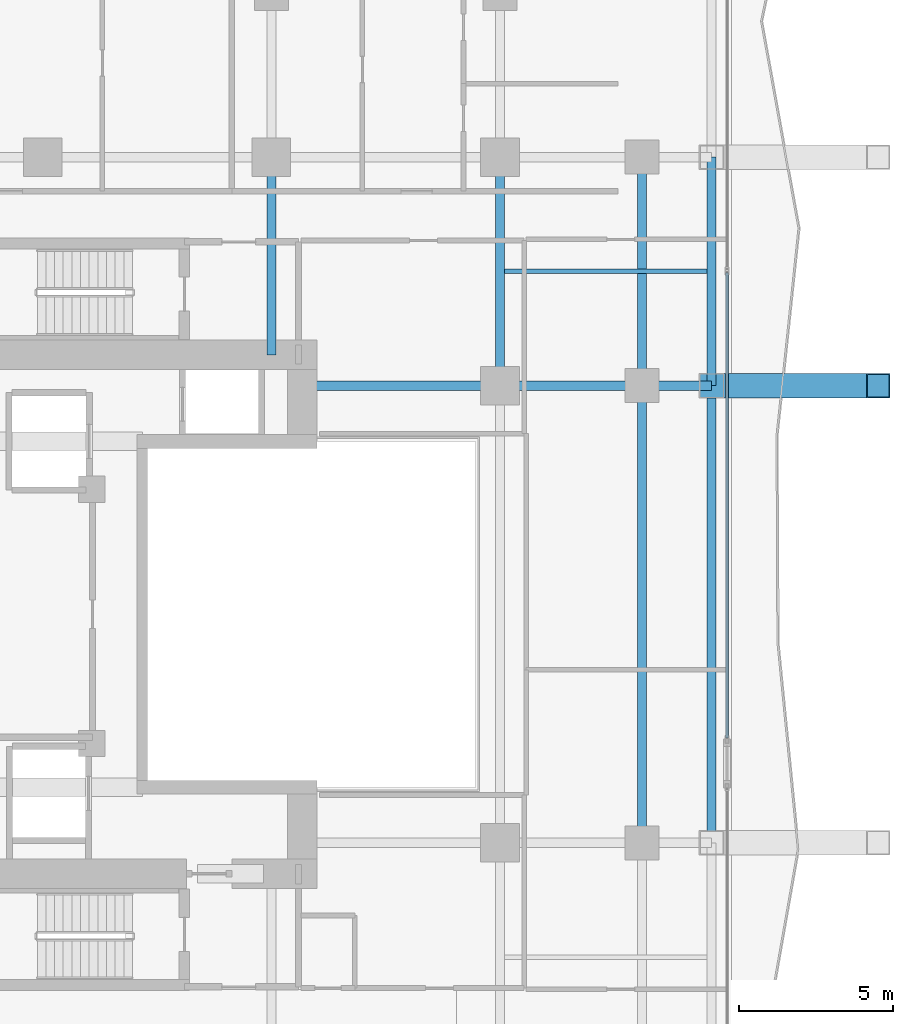
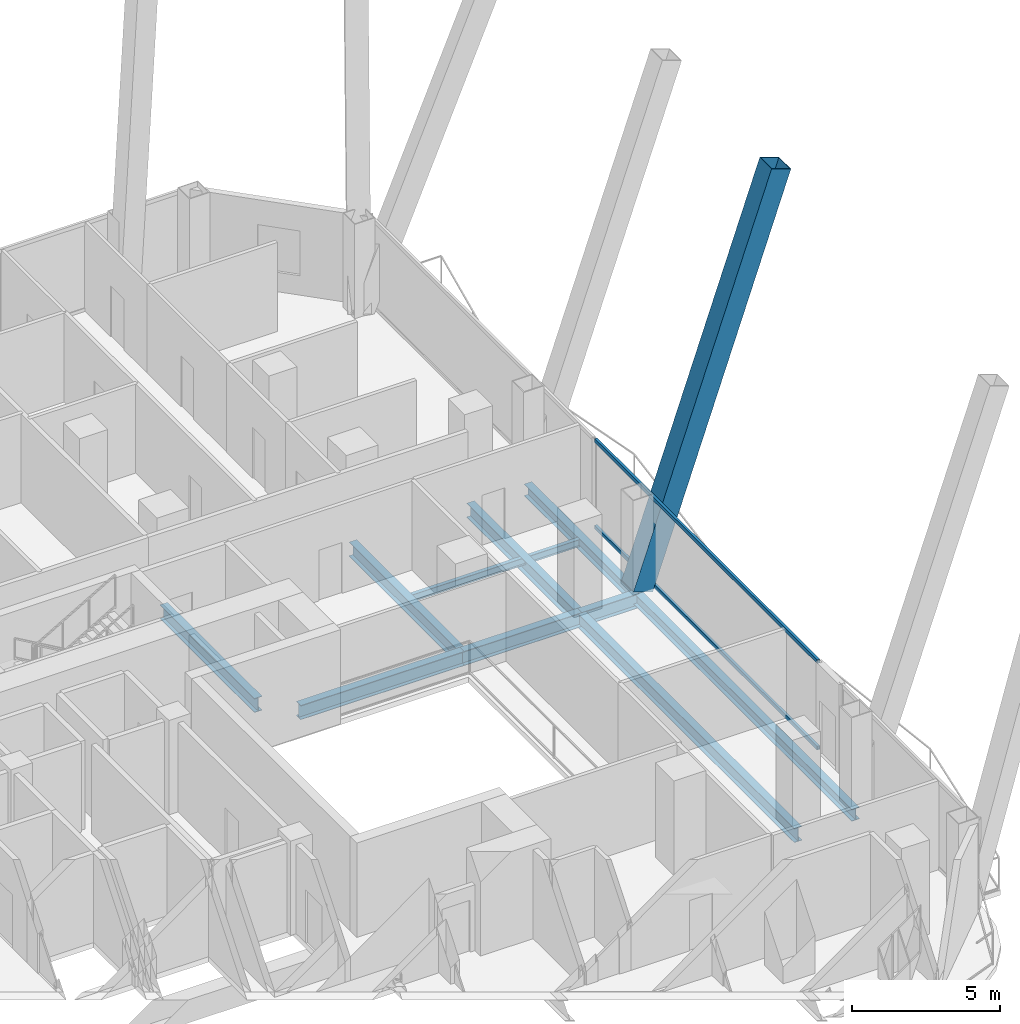
# One storey, part 14 of 32: 10 beams, 3 members, 1 element without a shape of its own.
"""IFC4 building model written with IfcOpenShell, lengths in metres."""

from ifc_helpers import new_model, si_unit, direction, frame, origin, origin_2d, place, context, subcontext, project, spatial, hollow_rectangle, i_section, extrude, material, layer, layer_set, material_profile, profile_set, type_object, element, aggregate, save


model = new_model("IFC4")

# Units and contexts
model_context = context("Model", 3, precision=1e-05, world=origin(), true_north=direction((0.0, 1.0)))
body_context = subcontext(model_context, "Body", "Model", "MODEL_VIEW")
ifc_project = project(units=[si_unit("LENGTHUNIT", "METRE"), si_unit("AREAUNIT", "SQUARE_METRE"), si_unit("VOLUMEUNIT", "CUBIC_METRE"), si_unit("PLANEANGLEUNIT", "RADIAN"), si_unit("MASSUNIT", "GRAM", prefix="KILO")], contexts=[model_context])

# Site, building, storey
site_placement = place(None, origin())
site = spatial("IfcSite", under=ifc_project, at=site_placement, CompositionType="ELEMENT")
building_placement = place(site_placement, origin())
building = spatial("IfcBuilding", under=site, at=building_placement, Name="Khorvyn Point Tower", CompositionType="ELEMENT")
storey_placement = place(building_placement, frame((0.0, 0.0, 93.0)))
storey = spatial("IfcBuildingStorey", under=building, at=storey_placement, Name="L23", CompositionType="ELEMENT", Elevation=93.0)

# Curtain wall, members
ifc_material_1 = material(Name="Anodised aluminium 6063-T6 and laminated Low-E glass", Category="aluminium")
ifc_layer = layer(ifc_material_1, 0.18994140625)
ifc_layer_set = layer_set([ifc_layer], Name="Stick-Built Finned Residential Curtain Wall CW-SYS-02")
curtain_wall_type = type_object("IfcCurtainWallType", Name="Stick-Built Finned Residential Curtain Wall CW-SYS-02", PredefinedType="NOTDEFINED", material=ifc_layer_set)
curtain_wall_placement = place(storey_placement, origin())
curtain_wall = element("IfcCurtainWall", 1, at=curtain_wall_placement, inside=storey, type_object=curtain_wall_type, Name="Curtain Wall", PredefinedType="NOTDEFINED")
ifc_material_2 = material(Name="Anodised aluminium 6063-T6", Category="aluminium")
ifc_material_profile_1 = material_profile(ifc_material_2, hollow_rectangle(XDim=0.10009765625, YDim=0.159912109375, WallThickness=0.00439453125, at=origin_2d()))
ifc_profile_set_1 = profile_set([ifc_material_profile_1], Name="Anodised aluminium 6063-T6 ALU-TRN-100x160")
member_type_1 = type_object("IfcMemberType", Name="Anodised Aluminium 6063-T6 Transom ALU-TRN-100x160", PredefinedType="USERDEFINED", material=ifc_profile_set_1)
member_1_placement = place(storey_placement, frame((22.14990234375, 11.070068359375, 0.050048828125), z_axis=(0.0, -1.0, 0.0), x_axis=(1.0, 0.0, 0.0)))
member_1 = element("IfcMember", 2, at=member_1_placement, type_object=member_type_1, Name="Transom", ObjectType="TRANSOM", PredefinedType="USERDEFINED", context=body_context, shape_type="SweptSolid", body=[
    extrude(hollow_rectangle(XDim=0.10009765625, YDim=0.159912109375, WallThickness=0.00439453125, at=origin_2d()), origin(), (0.0, 0.0, 1.0), 15.080078125),
])
member_2_placement = place(storey_placement, frame((22.14990234375, 11.070068359375, 3.6298828125), z_axis=(0.0, -1.0, 0.0), x_axis=(1.0, 0.0, 0.0)))
member_2 = element("IfcMember", 3, at=member_2_placement, type_object=member_type_1, Name="Transom", ObjectType="TRANSOM", PredefinedType="USERDEFINED", context=body_context, shape_type="SweptSolid", body=[
    extrude(hollow_rectangle(XDim=0.10009765625, YDim=0.159912109375, WallThickness=0.00439453125, at=origin_2d()), origin(), (0.0, 0.0, 1.0), 15.080078125),
])
aggregate(curtain_wall, [member_1, member_2])

# Beams
ifc_material_3 = material(Name="Steel S355", Category="steel")
ifc_material_profile_2 = material_profile(ifc_material_3, i_section(OverallWidth=0.300048828125, OverallDepth=0.587890625, WebThickness=0.011962890625, FlangeThickness=0.02001953125, at=origin_2d()))
ifc_profile_set_2 = profile_set([ifc_material_profile_2], Name="Steel S355 H588x300x12x20")
beam_type_1 = type_object("IfcBeamType", Name="Steel S355 Beam H588x300x12x20", PredefinedType="BEAM", material=ifc_profile_set_2)
beam_1_placement = place(storey_placement, frame((8.39990234375, 7.39990234375, -0.513916015625), z_axis=(1.0, 0.0, 0.0), x_axis=(0.0, 1.0, 0.0)))
element("IfcBeam", 4, at=beam_1_placement, inside=storey, type_object=beam_type_1, Name="Beam", PredefinedType="BEAM", context=body_context, shape_type="SweptSolid", body=[
    extrude(i_section(OverallWidth=0.300048828125, OverallDepth=0.587890625, WebThickness=0.011962890625, FlangeThickness=0.02001953125, at=origin_2d()), origin(), (0.0, 0.0, 1.0), 6.400146484375),
])
beam_2_placement = place(storey_placement, frame((14.800048828125, 7.39990234375, -0.513916015625), z_axis=(1.0, 0.0, 0.0), x_axis=(0.0, 1.0, 0.0)))
element("IfcBeam", 5, at=beam_2_placement, inside=storey, type_object=beam_type_1, Name="Beam", PredefinedType="BEAM", context=body_context, shape_type="SweptSolid", body=[
    extrude(i_section(OverallWidth=0.300048828125, OverallDepth=0.587890625, WebThickness=0.011962890625, FlangeThickness=0.02001953125, at=origin_2d()), origin(), (0.0, 0.0, 1.0), 4.599853515625),
])
beam_3_placement = place(storey_placement, frame((19.39990234375, 7.39990234375, -0.513916015625), z_axis=(1.0, 0.0, 0.0), x_axis=(0.0, 1.0, 0.0)))
element("IfcBeam", 6, at=beam_3_placement, inside=storey, type_object=beam_type_1, Name="Beam", PredefinedType="BEAM", context=body_context, shape_type="SweptSolid", body=[
    extrude(i_section(OverallWidth=0.300048828125, OverallDepth=0.587890625, WebThickness=0.011962890625, FlangeThickness=0.02001953125, at=origin_2d()), origin(), (0.0, 0.0, 1.0), 2.25),
])
beam_4_placement = place(storey_placement, frame((14.800048828125, 7.39990234375, -0.513916015625), z_axis=(0.0, 1.0, 0.0), x_axis=(-1.0, 0.0, 0.0)))
element("IfcBeam", 7, at=beam_4_placement, inside=storey, type_object=beam_type_1, Name="Beam", PredefinedType="BEAM", context=body_context, shape_type="SweptSolid", body=[
    extrude(i_section(OverallWidth=0.300048828125, OverallDepth=0.587890625, WebThickness=0.011962890625, FlangeThickness=0.02001953125, at=origin_2d()), origin(), (0.0, 0.0, 1.0), 7.400146484375),
])
beam_5_placement = place(storey_placement, frame((7.39990234375, 8.39990234375, -0.513916015625), z_axis=(0.0, 1.0, 0.0), x_axis=(-1.0, 0.0, 0.0)))
element("IfcBeam", 8, at=beam_5_placement, inside=storey, type_object=beam_type_1, Name="Beam", PredefinedType="BEAM", context=body_context, shape_type="SweptSolid", body=[
    extrude(i_section(OverallWidth=0.300048828125, OverallDepth=0.587890625, WebThickness=0.011962890625, FlangeThickness=0.02001953125, at=origin_2d()), origin(), (0.0, 0.0, 1.0), 6.400146484375),
])
beam_6_placement = place(storey_placement, frame((19.39990234375, -7.39990234375, -0.513916015625), z_axis=(0.0, 1.0, 0.0), x_axis=(-1.0, 0.0, 0.0)))
element("IfcBeam", 9, at=beam_6_placement, inside=storey, type_object=beam_type_1, Name="Beam", PredefinedType="BEAM", context=body_context, shape_type="SweptSolid", body=[
    extrude(i_section(OverallWidth=0.300048828125, OverallDepth=0.587890625, WebThickness=0.011962890625, FlangeThickness=0.02001953125, at=origin_2d()), origin(), (0.0, 0.0, 1.0), 14.7998046875),
])
beam_7_placement = place(storey_placement, frame((19.39990234375, 7.39990234375, -0.513916015625), z_axis=(0.0, 1.0, 0.0), x_axis=(-1.0, 0.0, 0.0)))
element("IfcBeam", 10, at=beam_7_placement, inside=storey, type_object=beam_type_1, Name="Beam", PredefinedType="BEAM", context=body_context, shape_type="SweptSolid", body=[
    extrude(i_section(OverallWidth=0.300048828125, OverallDepth=0.587890625, WebThickness=0.011962890625, FlangeThickness=0.02001953125, at=origin_2d()), origin(), (0.0, 0.0, 1.0), 7.400146484375),
])
ifc_material_profile_3 = material_profile(ifc_material_3, i_section(OverallWidth=0.14990234375, OverallDepth=0.300048828125, WebThickness=0.006591796875, FlangeThickness=0.009033203125, at=origin_2d()))
ifc_profile_set_3 = profile_set([ifc_material_profile_3], Name="Steel S355 H300x150x6.5x9")
beam_type_2 = type_object("IfcBeamType", Name="Steel S355 Joist H300x150x6.5x9", PredefinedType="JOIST", material=ifc_profile_set_3)
beam_8_placement = place(storey_placement, frame((14.949951171875, 11.10009765625, -0.3701171875), z_axis=(1.0, 0.0, 0.0), x_axis=(0.0, 1.0, 0.0)))
element("IfcBeam", 11, at=beam_8_placement, inside=storey, type_object=beam_type_2, Name="Beam", PredefinedType="JOIST", context=body_context, shape_type="SweptSolid", body=[
    extrude(i_section(OverallWidth=0.14990234375, OverallDepth=0.300048828125, WebThickness=0.006591796875, FlangeThickness=0.009033203125, at=origin_2d()), origin(), (0.0, 0.0, 1.0), 6.550048828125),
])
ifc_material_profile_4 = material_profile(ifc_material_3, i_section(OverallWidth=0.300048828125, OverallDepth=0.488037109375, WebThickness=0.010986328125, FlangeThickness=0.01806640625, at=origin_2d()))
ifc_profile_set_4 = profile_set([ifc_material_profile_4], Name="Steel S355 H488x300x11x18")
beam_type_3 = type_object("IfcBeamType", Name="Steel S355 Spandrel H488x300x11x18", PredefinedType="SPANDREL", material=ifc_profile_set_4)
beam_9_placement = place(storey_placement, frame((21.64990234375, -7.39990234375, -0.464111328125), z_axis=(0.0, 1.0, 0.0), x_axis=(-1.0, 0.0, 0.0)))
element("IfcBeam", 12, at=beam_9_placement, inside=storey, type_object=beam_type_3, Name="Beam", PredefinedType="SPANDREL", context=body_context, shape_type="SweptSolid", body=[
    extrude(i_section(OverallWidth=0.300048828125, OverallDepth=0.488037109375, WebThickness=0.010986328125, FlangeThickness=0.01806640625, at=origin_2d()), origin(), (0.0, 0.0, 1.0), 14.7998046875),
])
beam_10_placement = place(storey_placement, frame((21.64990234375, 7.39990234375, -0.464111328125), z_axis=(0.0, 1.0, 0.0), x_axis=(-1.0, 0.0, 0.0)))
element("IfcBeam", 13, at=beam_10_placement, inside=storey, type_object=beam_type_3, Name="Beam", PredefinedType="SPANDREL", context=body_context, shape_type="SweptSolid", body=[
    extrude(i_section(OverallWidth=0.300048828125, OverallDepth=0.488037109375, WebThickness=0.010986328125, FlangeThickness=0.01806640625, at=origin_2d()), origin(), (0.0, 0.0, 1.0), 7.400146484375),
])

# Member
ifc_material_4 = material(Name="Steel S450", Category="steel")
ifc_material_profile_5 = material_profile(ifc_material_4, hollow_rectangle(XDim=0.800048828125, YDim=0.800048828125, WallThickness=0.035888671875, at=origin_2d()))
ifc_profile_set_5 = profile_set([ifc_material_profile_5], Name="Steel S450 BOX800x800x36")
member_type_2 = type_object("IfcMemberType", Name="Steel S450 Exoskeleton Structural Post BOX800x800x36", PredefinedType="POST", material=ifc_profile_set_5)
member_3_placement = place(storey_placement, frame((21.64990234375, 7.39990234375, 0.0), z_axis=(0.327116659188, 0.0, 0.944983963505), x_axis=(0.0, 1.0, 0.0)))
element("IfcMember", 14, at=member_3_placement, inside=storey, type_object=member_type_2, Name="L23 to L27 Exoskeleton Transfer Post 12", PredefinedType="POST", context=body_context, shape_type="SweptSolid", body=[
    extrude(hollow_rectangle(XDim=0.800048828125, YDim=0.800048828125, WallThickness=0.035888671875, at=origin_2d()), origin(), (0.0, 0.0, 1.0), 16.50830078125),
])

save(model, "model.ifc")
